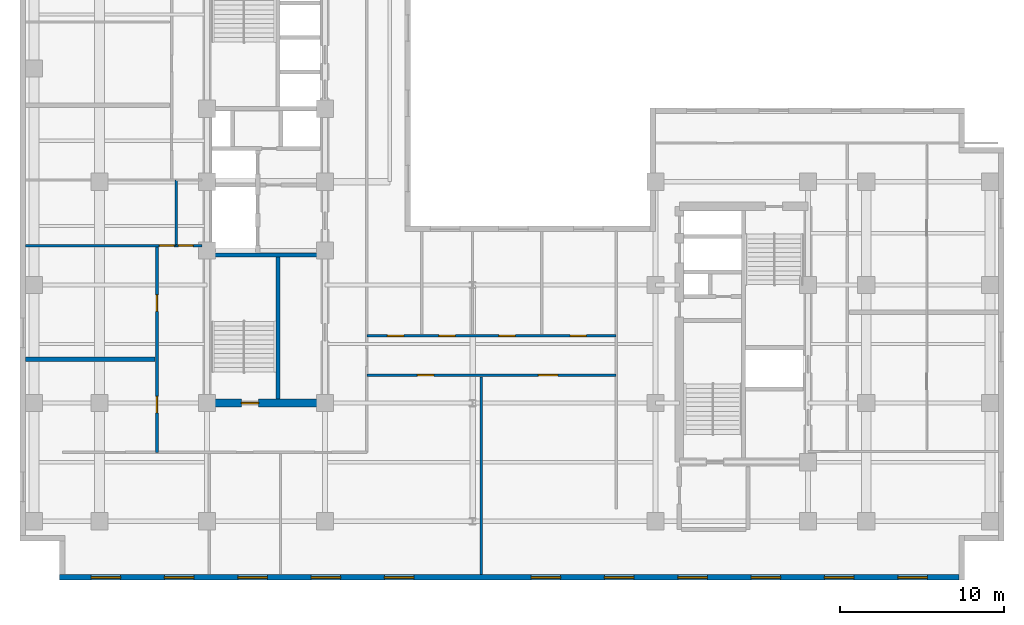
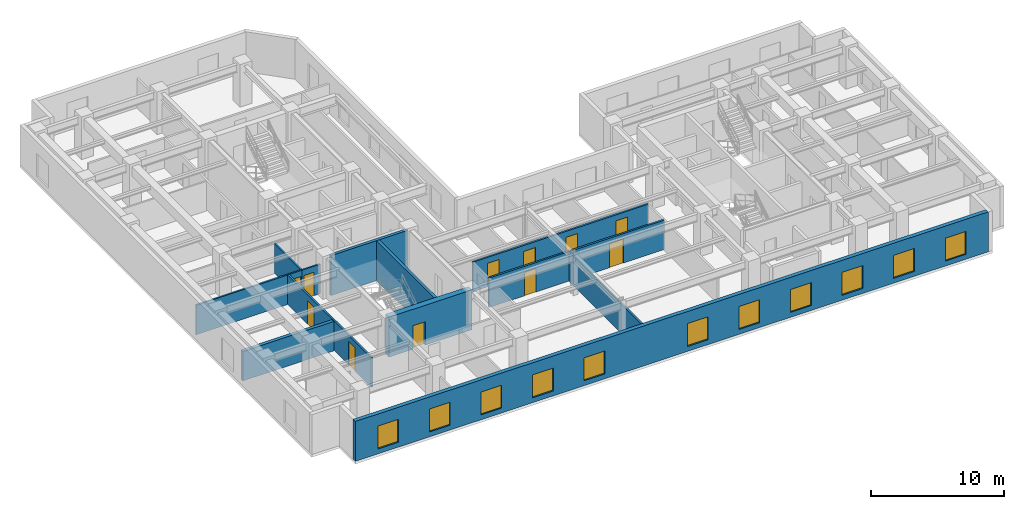
# One storey, part 3 of 9: 12 walls, 11 doors, 11 windows, 22 openings.
"""IFC4 building model written with IfcOpenShell, lengths in metres."""

from ifc_helpers import new_model, entity, si_unit, converted_unit, direction, frame, origin_with_axes, origin_2d_with_axis, place, context, subcontext, project, spatial, polyline, rectangle, outline, extrude, material, layer, layer_set, type_object, element, fill, save


model = new_model("IFC4")

# Units and contexts
model_context = context("Model", 3, precision=1e-05, world=origin_with_axes(), true_north=direction((0.0, 1.0)))
body_context = subcontext(model_context, "Body", "Model", "MODEL_VIEW")
ifc_project = project(units=[si_unit("LENGTHUNIT", "METRE"), si_unit("AREAUNIT", "SQUARE_METRE"), si_unit("VOLUMEUNIT", "CUBIC_METRE"), converted_unit("PLANEANGLEUNIT", "DEGREE", entity("IfcPlaneAngleMeasure", 0.017453292519943295), si_unit("PLANEANGLEUNIT", "RADIAN"), dimensions=[0, 0, 0, 0, 0, 0, 0]), si_unit("MASSUNIT", "GRAM", prefix="KILO"), si_unit("THERMODYNAMICTEMPERATUREUNIT", "KELVIN")], contexts=[model_context])

# Site, building, storey
site_placement = place(None, origin_with_axes())
site = spatial("IfcSite", under=ifc_project, at=site_placement, CompositionType="ELEMENT")
building_placement = place(site_placement, origin_with_axes())
building = spatial("IfcBuilding", under=site, at=building_placement, Name="Varnlund Millrace Tower", CompositionType="ELEMENT")
storey_placement = place(building_placement, frame((0.0, 0.0, 164.1), z_axis=(0.0, 0.0, 1.0), x_axis=(1.0, 0.0, 0.0)))
storey = spatial("IfcBuildingStorey", under=building, at=storey_placement, Name="L40", CompositionType="ELEMENT", Elevation=164.1)

# Wall, opening, door
ifc_material_1 = material(Name="Concrete C70/85", Category="concrete")
ifc_layer_1 = layer(ifc_material_1, 0.5, Name="Concrete C70/85")
ifc_layer_set_1 = layer_set([ifc_layer_1], Name="Concrete C70/85")
wall_type_1 = type_object("IfcWallType", Name="Type-CoreWall-Shear-500-C70", PredefinedType="SHEAR", material=ifc_layer_set_1)
wall_1_placement = place(storey_placement, frame((11.4, 10.8, 0.0), z_axis=(0.0, 0.0, 1.0), x_axis=(1.0, 0.0, 0.0)))
wall_1 = element("IfcWall", 1, at=wall_1_placement, inside=storey, type_object=wall_type_1, Name="Type-CoreWall-Shear-500-C70", PredefinedType="SHEAR", context=body_context, shape_type="SweptSolid", body=[
    extrude(outline(polyline([(0.0, -0.25), (7.2, -0.25), (7.2, 0.25), (0.0, 0.25), (0.0, -0.25)])), origin_with_axes(), (0.0, 0.0, 1.0), 3.66),
])
opening_1_placement = place(wall_1_placement, frame((2.625, 0.0, 0.0), z_axis=(0.0, 0.0, 1.0), x_axis=(1.0, 0.0, 0.0)))
opening_1 = element("IfcOpeningElement", 2, at=opening_1_placement, cuts=wall_1, Name="Opening L40:DR-STA1", PredefinedType="OPENING", context=body_context, shape_type="SweptSolid", body=[
    extrude(rectangle(XDim=1.05, YDim=0.52, at=origin_2d_with_axis()), origin_with_axes(), (0.0, 0.0, 1.0), 2.15),
])
ifc_material_2 = material(Name="Fire-rated hollow steel door", Category="steel")
door_type_1 = type_object("IfcDoorType", Name="Type-FireDoor-Stair-1050X2150", OperationType="NOTDEFINED", PredefinedType="DOOR", material=ifc_material_2)
door_1_placement = place(wall_1_placement, frame((2.625, 0.0, 0.0), z_axis=(0.0, 0.0, 1.0), x_axis=(1.0, 0.0, 0.0)))
door_1 = element("IfcDoor", 3, at=door_1_placement, inside=storey, type_object=door_type_1, Name="Type-FireDoor-Stair-1050X2150", OperationType="SINGLE_SWING_LEFT", OverallHeight=2.15, OverallWidth=1.05, PredefinedType="DOOR", context=body_context, shape_type="SweptSolid", body=[
    extrude(rectangle(XDim=1.05, YDim=0.09, at=origin_2d_with_axis()), origin_with_axes(), (0.0, 0.0, 1.0), 2.15),
])
fill(opening_1, door_1)

# Wall, openings, windows
ifc_material_3 = material(Name="Precast concrete C50/60", Category="concrete")
ifc_layer_2 = layer(ifc_material_3, 0.34, Name="Precast concrete C50/60")
ifc_layer_set_2 = layer_set([ifc_layer_2], Name="Precast concrete C50/60")
wall_type_2 = type_object("IfcWallType", Name="Type-ExtWall-Precast-Upper-340", PredefinedType="SOLIDWALL", material=ifc_layer_set_2)
wall_2_placement = place(storey_placement, frame((57.26, 0.17, 0.0), z_axis=(0.0, 0.0, 1.0), x_axis=(-1.0, 0.0, 0.0)))
wall_2 = element("IfcWall", 4, at=wall_2_placement, inside=storey, type_object=wall_type_2, Name="Type-ExtWall-Precast-Upper-340", PredefinedType="SOLIDWALL", context=body_context, shape_type="SweptSolid", body=[
    extrude(outline(polyline([(0.0, -0.17), (54.86, -0.17), (54.86, 0.17), (0.0, 0.17), (0.0, -0.17)])), origin_with_axes(), (0.0, 0.0, 1.0), 3.66),
])
opening_2_placement = place(wall_2_placement, frame((2.836, 0.0, 0.45), z_axis=(0.0, 0.0, 1.0), x_axis=(1.0, 0.0, 0.0)))
opening_2 = element("IfcOpeningElement", 5, at=opening_2_placement, cuts=wall_2, Name="Opening L40:WN-08", PredefinedType="OPENING", context=body_context, shape_type="SweptSolid", body=[
    extrude(rectangle(XDim=1.8, YDim=0.36, at=origin_2d_with_axis()), origin_with_axes(), (0.0, 0.0, 1.0), 2.1),
])
opening_3_placement = place(wall_2_placement, frame((7.307, 0.0, 0.45), z_axis=(0.0, 0.0, 1.0), x_axis=(1.0, 0.0, 0.0)))
opening_3 = element("IfcOpeningElement", 6, at=opening_3_placement, cuts=wall_2, Name="Opening L40:WN-09", PredefinedType="OPENING", context=body_context, shape_type="SweptSolid", body=[
    extrude(rectangle(XDim=1.8, YDim=0.36, at=origin_2d_with_axis()), origin_with_axes(), (0.0, 0.0, 1.0), 2.1),
])
opening_4_placement = place(wall_2_placement, frame((11.779, 0.0, 0.45), z_axis=(0.0, 0.0, 1.0), x_axis=(1.0, 0.0, 0.0)))
opening_4 = element("IfcOpeningElement", 7, at=opening_4_placement, cuts=wall_2, Name="Opening L40:WN-10", PredefinedType="OPENING", context=body_context, shape_type="SweptSolid", body=[
    extrude(rectangle(XDim=1.8, YDim=0.36, at=origin_2d_with_axis()), origin_with_axes(), (0.0, 0.0, 1.0), 2.1),
])
opening_5_placement = place(wall_2_placement, frame((16.251, 0.0, 0.45), z_axis=(0.0, 0.0, 1.0), x_axis=(1.0, 0.0, 0.0)))
opening_5 = element("IfcOpeningElement", 8, at=opening_5_placement, cuts=wall_2, Name="Opening L40:WN-11", PredefinedType="OPENING", context=body_context, shape_type="SweptSolid", body=[
    extrude(rectangle(XDim=1.8, YDim=0.36, at=origin_2d_with_axis()), origin_with_axes(), (0.0, 0.0, 1.0), 2.1),
])
opening_6_placement = place(wall_2_placement, frame((20.723, 0.0, 0.45), z_axis=(0.0, 0.0, 1.0), x_axis=(1.0, 0.0, 0.0)))
opening_6 = element("IfcOpeningElement", 9, at=opening_6_placement, cuts=wall_2, Name="Opening L40:WN-12", PredefinedType="OPENING", context=body_context, shape_type="SweptSolid", body=[
    extrude(rectangle(XDim=1.8, YDim=0.36, at=origin_2d_with_axis()), origin_with_axes(), (0.0, 0.0, 1.0), 2.1),
])
opening_7_placement = place(wall_2_placement, frame((25.194, 0.0, 0.45), z_axis=(0.0, 0.0, 1.0), x_axis=(1.0, 0.0, 0.0)))
opening_7 = element("IfcOpeningElement", 10, at=opening_7_placement, cuts=wall_2, Name="Opening L40:WN-13", PredefinedType="OPENING", context=body_context, shape_type="SweptSolid", body=[
    extrude(rectangle(XDim=1.8, YDim=0.36, at=origin_2d_with_axis()), origin_with_axes(), (0.0, 0.0, 1.0), 2.1),
])
opening_8_placement = place(wall_2_placement, frame((34.138, 0.0, 0.45), z_axis=(0.0, 0.0, 1.0), x_axis=(1.0, 0.0, 0.0)))
opening_8 = element("IfcOpeningElement", 11, at=opening_8_placement, cuts=wall_2, Name="Opening L40:WN-14", PredefinedType="OPENING", context=body_context, shape_type="SweptSolid", body=[
    extrude(rectangle(XDim=1.8, YDim=0.36, at=origin_2d_with_axis()), origin_with_axes(), (0.0, 0.0, 1.0), 2.1),
])
opening_9_placement = place(wall_2_placement, frame((38.609, 0.0, 0.45), z_axis=(0.0, 0.0, 1.0), x_axis=(1.0, 0.0, 0.0)))
opening_9 = element("IfcOpeningElement", 12, at=opening_9_placement, cuts=wall_2, Name="Opening L40:WN-15", PredefinedType="OPENING", context=body_context, shape_type="SweptSolid", body=[
    extrude(rectangle(XDim=1.8, YDim=0.36, at=origin_2d_with_axis()), origin_with_axes(), (0.0, 0.0, 1.0), 2.1),
])
opening_10_placement = place(wall_2_placement, frame((43.081, 0.0, 0.45), z_axis=(0.0, 0.0, 1.0), x_axis=(1.0, 0.0, 0.0)))
opening_10 = element("IfcOpeningElement", 13, at=opening_10_placement, cuts=wall_2, Name="Opening L40:WN-16", PredefinedType="OPENING", context=body_context, shape_type="SweptSolid", body=[
    extrude(rectangle(XDim=1.8, YDim=0.36, at=origin_2d_with_axis()), origin_with_axes(), (0.0, 0.0, 1.0), 2.1),
])
opening_11_placement = place(wall_2_placement, frame((47.553, 0.0, 0.45), z_axis=(0.0, 0.0, 1.0), x_axis=(1.0, 0.0, 0.0)))
opening_11 = element("IfcOpeningElement", 14, at=opening_11_placement, cuts=wall_2, Name="Opening L40:WN-17", PredefinedType="OPENING", context=body_context, shape_type="SweptSolid", body=[
    extrude(rectangle(XDim=1.8, YDim=0.36, at=origin_2d_with_axis()), origin_with_axes(), (0.0, 0.0, 1.0), 2.1),
])
opening_12_placement = place(wall_2_placement, frame((52.024, 0.0, 0.45), z_axis=(0.0, 0.0, 1.0), x_axis=(1.0, 0.0, 0.0)))
opening_12 = element("IfcOpeningElement", 15, at=opening_12_placement, cuts=wall_2, Name="Opening L40:WN-18", PredefinedType="OPENING", context=body_context, shape_type="SweptSolid", body=[
    extrude(rectangle(XDim=1.8, YDim=0.36, at=origin_2d_with_axis()), origin_with_axes(), (0.0, 0.0, 1.0), 2.1),
])
ifc_material_4 = material(Name="Argon low-e triple glazing in thermally broken bronze frame", Category="glass")
window_type = type_object("IfcWindowType", Name="Type-Window-Punched-1800X2100", PartitioningType="SINGLE_PANEL", PredefinedType="WINDOW", material=ifc_material_4)
window_1_placement = place(wall_2_placement, frame((2.836, 0.0, 0.45), z_axis=(0.0, 0.0, 1.0), x_axis=(1.0, 0.0, 0.0)))
window_1 = element("IfcWindow", 16, at=window_1_placement, inside=storey, type_object=window_type, Name="Type-Window-Punched-1800X2100", OverallHeight=2.1, OverallWidth=1.8, PredefinedType="WINDOW", context=body_context, shape_type="SweptSolid", body=[
    extrude(rectangle(XDim=1.8, YDim=0.09, at=origin_2d_with_axis()), origin_with_axes(), (0.0, 0.0, 1.0), 2.1),
])
fill(opening_2, window_1)
window_2_placement = place(wall_2_placement, frame((7.307, 0.0, 0.45), z_axis=(0.0, 0.0, 1.0), x_axis=(1.0, 0.0, 0.0)))
window_2 = element("IfcWindow", 17, at=window_2_placement, inside=storey, type_object=window_type, Name="Type-Window-Punched-1800X2100", OverallHeight=2.1, OverallWidth=1.8, PredefinedType="WINDOW", context=body_context, shape_type="SweptSolid", body=[
    extrude(rectangle(XDim=1.8, YDim=0.09, at=origin_2d_with_axis()), origin_with_axes(), (0.0, 0.0, 1.0), 2.1),
])
fill(opening_3, window_2)
window_3_placement = place(wall_2_placement, frame((11.779, 0.0, 0.45), z_axis=(0.0, 0.0, 1.0), x_axis=(1.0, 0.0, 0.0)))
window_3 = element("IfcWindow", 18, at=window_3_placement, inside=storey, type_object=window_type, Name="Type-Window-Punched-1800X2100", OverallHeight=2.1, OverallWidth=1.8, PredefinedType="WINDOW", context=body_context, shape_type="SweptSolid", body=[
    extrude(rectangle(XDim=1.8, YDim=0.09, at=origin_2d_with_axis()), origin_with_axes(), (0.0, 0.0, 1.0), 2.1),
])
fill(opening_4, window_3)
window_4_placement = place(wall_2_placement, frame((16.251, 0.0, 0.45), z_axis=(0.0, 0.0, 1.0), x_axis=(1.0, 0.0, 0.0)))
window_4 = element("IfcWindow", 19, at=window_4_placement, inside=storey, type_object=window_type, Name="Type-Window-Punched-1800X2100", OverallHeight=2.1, OverallWidth=1.8, PredefinedType="WINDOW", context=body_context, shape_type="SweptSolid", body=[
    extrude(rectangle(XDim=1.8, YDim=0.09, at=origin_2d_with_axis()), origin_with_axes(), (0.0, 0.0, 1.0), 2.1),
])
fill(opening_5, window_4)
window_5_placement = place(wall_2_placement, frame((20.723, 0.0, 0.45), z_axis=(0.0, 0.0, 1.0), x_axis=(1.0, 0.0, 0.0)))
window_5 = element("IfcWindow", 20, at=window_5_placement, inside=storey, type_object=window_type, Name="Type-Window-Punched-1800X2100", OverallHeight=2.1, OverallWidth=1.8, PredefinedType="WINDOW", context=body_context, shape_type="SweptSolid", body=[
    extrude(rectangle(XDim=1.8, YDim=0.09, at=origin_2d_with_axis()), origin_with_axes(), (0.0, 0.0, 1.0), 2.1),
])
fill(opening_6, window_5)
window_6_placement = place(wall_2_placement, frame((25.194, 0.0, 0.45), z_axis=(0.0, 0.0, 1.0), x_axis=(1.0, 0.0, 0.0)))
window_6 = element("IfcWindow", 21, at=window_6_placement, inside=storey, type_object=window_type, Name="Type-Window-Punched-1800X2100", OverallHeight=2.1, OverallWidth=1.8, PredefinedType="WINDOW", context=body_context, shape_type="SweptSolid", body=[
    extrude(rectangle(XDim=1.8, YDim=0.09, at=origin_2d_with_axis()), origin_with_axes(), (0.0, 0.0, 1.0), 2.1),
])
fill(opening_7, window_6)
window_7_placement = place(wall_2_placement, frame((34.138, 0.0, 0.45), z_axis=(0.0, 0.0, 1.0), x_axis=(1.0, 0.0, 0.0)))
window_7 = element("IfcWindow", 22, at=window_7_placement, inside=storey, type_object=window_type, Name="Type-Window-Punched-1800X2100", OverallHeight=2.1, OverallWidth=1.8, PredefinedType="WINDOW", context=body_context, shape_type="SweptSolid", body=[
    extrude(rectangle(XDim=1.8, YDim=0.09, at=origin_2d_with_axis()), origin_with_axes(), (0.0, 0.0, 1.0), 2.1),
])
fill(opening_8, window_7)
window_8_placement = place(wall_2_placement, frame((38.609, 0.0, 0.45), z_axis=(0.0, 0.0, 1.0), x_axis=(1.0, 0.0, 0.0)))
window_8 = element("IfcWindow", 23, at=window_8_placement, inside=storey, type_object=window_type, Name="Type-Window-Punched-1800X2100", OverallHeight=2.1, OverallWidth=1.8, PredefinedType="WINDOW", context=body_context, shape_type="SweptSolid", body=[
    extrude(rectangle(XDim=1.8, YDim=0.09, at=origin_2d_with_axis()), origin_with_axes(), (0.0, 0.0, 1.0), 2.1),
])
fill(opening_9, window_8)
window_9_placement = place(wall_2_placement, frame((43.081, 0.0, 0.45), z_axis=(0.0, 0.0, 1.0), x_axis=(1.0, 0.0, 0.0)))
window_9 = element("IfcWindow", 24, at=window_9_placement, inside=storey, type_object=window_type, Name="Type-Window-Punched-1800X2100", OverallHeight=2.1, OverallWidth=1.8, PredefinedType="WINDOW", context=body_context, shape_type="SweptSolid", body=[
    extrude(rectangle(XDim=1.8, YDim=0.09, at=origin_2d_with_axis()), origin_with_axes(), (0.0, 0.0, 1.0), 2.1),
])
fill(opening_10, window_9)
window_10_placement = place(wall_2_placement, frame((47.553, 0.0, 0.45), z_axis=(0.0, 0.0, 1.0), x_axis=(1.0, 0.0, 0.0)))
window_10 = element("IfcWindow", 25, at=window_10_placement, inside=storey, type_object=window_type, Name="Type-Window-Punched-1800X2100", OverallHeight=2.1, OverallWidth=1.8, PredefinedType="WINDOW", context=body_context, shape_type="SweptSolid", body=[
    extrude(rectangle(XDim=1.8, YDim=0.09, at=origin_2d_with_axis()), origin_with_axes(), (0.0, 0.0, 1.0), 2.1),
])
fill(opening_11, window_10)
window_11_placement = place(wall_2_placement, frame((52.024, 0.0, 0.45), z_axis=(0.0, 0.0, 1.0), x_axis=(1.0, 0.0, 0.0)))
window_11 = element("IfcWindow", 26, at=window_11_placement, inside=storey, type_object=window_type, Name="Type-Window-Punched-1800X2100", OverallHeight=2.1, OverallWidth=1.8, PredefinedType="WINDOW", context=body_context, shape_type="SweptSolid", body=[
    extrude(rectangle(XDim=1.8, YDim=0.09, at=origin_2d_with_axis()), origin_with_axes(), (0.0, 0.0, 1.0), 2.1),
])
fill(opening_12, window_11)

# Wall
ifc_material_5 = material(Name="Double-stud STC-60 conference acoustic partition", Category="gypsum")
ifc_layer_3 = layer(ifc_material_5, 0.28, Name="Double-stud STC-60 conference acoustic partition")
ifc_layer_set_3 = layer_set([ifc_layer_3], Name="Double-stud STC-60 conference acoustic partition")
wall_type_3 = type_object("IfcWallType", Name="Type-Partition-Acoustic-280", PredefinedType="PARTITIONING", material=ifc_layer_set_3)
wall_3_placement = place(storey_placement, frame((0.335, 13.478, 0.0), z_axis=(0.0, 0.0, 1.0), x_axis=(1.0, 0.0, 0.0)))
element("IfcWall", 27, at=wall_3_placement, inside=storey, type_object=wall_type_3, Name="Type-Partition-Acoustic-280", PredefinedType="PARTITIONING", context=body_context, shape_type="SweptSolid", body=[
    extrude(outline(polyline([(0.0, -0.14), (7.895, -0.14), (7.895, 0.14), (0.0, 0.14), (0.0, -0.14)])), origin_with_axes(), (0.0, 0.0, 1.0), 2.7),
])

# Wall, openings, doors
ifc_material_6 = material(Name="Fire-rated gypsum board on cold-formed steel framing", Category="steel")
ifc_layer_4 = layer(ifc_material_6, 0.16, Name="Fire-rated gypsum board on cold-formed steel framing")
ifc_layer_set_4 = layer_set([ifc_layer_4], Name="Fire-rated gypsum board on cold-formed steel framing")
wall_type_4 = type_object("IfcWallType", Name="Type-Partition-Corridor-160", PredefinedType="PARTITIONING", material=ifc_layer_set_4)
wall_4_placement = place(storey_placement, frame((8.35, 7.8, 0.0), z_axis=(0.0, 0.0, 1.0), x_axis=(0.0, 1.0, 0.0)))
wall_4 = element("IfcWall", 28, at=wall_4_placement, inside=storey, type_object=wall_type_4, Name="Type-Partition-Corridor-160", PredefinedType="PARTITIONING", context=body_context, shape_type="SweptSolid", body=[
    extrude(outline(polyline([(0.0, -0.08), (12.6, -0.08), (12.6, 0.08), (0.0, 0.08), (0.0, -0.08)])), origin_with_axes(), (0.0, 0.0, 1.0), 2.7),
])
opening_13_placement = place(wall_4_placement, frame((2.904, 0.0, 0.0), z_axis=(0.0, 0.0, 1.0), x_axis=(1.0, 0.0, 0.0)))
opening_13 = element("IfcOpeningElement", 29, at=opening_13_placement, cuts=wall_4, Name="Opening L40:DR-WS-01", PredefinedType="OPENING", context=body_context, shape_type="SweptSolid", body=[
    extrude(rectangle(XDim=1.0, YDim=0.18, at=origin_2d_with_axis()), origin_with_axes(), (0.0, 0.0, 1.0), 2.15),
])
opening_14_placement = place(wall_4_placement, frame((9.099, 0.0, 0.0), z_axis=(0.0, 0.0, 1.0), x_axis=(1.0, 0.0, 0.0)))
opening_14 = element("IfcOpeningElement", 30, at=opening_14_placement, cuts=wall_4, Name="Opening L40:DR-WS-02", PredefinedType="OPENING", context=body_context, shape_type="SweptSolid", body=[
    extrude(rectangle(XDim=1.0, YDim=0.18, at=origin_2d_with_axis()), origin_with_axes(), (0.0, 0.0, 1.0), 2.15),
])
ifc_material_7 = material(Name="Solid-core white oak and bronze frame door")
door_type_2 = type_object("IfcDoorType", Name="Type-IntDoor-Office-1000X2150", OperationType="NOTDEFINED", PredefinedType="DOOR", material=ifc_material_7)
door_2_placement = place(wall_4_placement, frame((2.904, 0.0, 0.0), z_axis=(0.0, 0.0, 1.0), x_axis=(1.0, 0.0, 0.0)))
door_2 = element("IfcDoor", 31, at=door_2_placement, inside=storey, type_object=door_type_2, Name="Type-IntDoor-Office-1000X2150", OperationType="SINGLE_SWING_LEFT", OverallHeight=2.15, OverallWidth=1.0, PredefinedType="DOOR", context=body_context, shape_type="SweptSolid", body=[
    extrude(rectangle(XDim=1.0, YDim=0.09, at=origin_2d_with_axis()), origin_with_axes(), (0.0, 0.0, 1.0), 2.15),
])
fill(opening_13, door_2)
door_3_placement = place(wall_4_placement, frame((9.099, 0.0, 0.0), z_axis=(0.0, 0.0, 1.0), x_axis=(1.0, 0.0, 0.0)))
door_3 = element("IfcDoor", 32, at=door_3_placement, inside=storey, type_object=door_type_2, Name="Type-IntDoor-Office-1000X2150", OperationType="SINGLE_SWING_RIGHT", OverallHeight=2.15, OverallWidth=1.0, PredefinedType="DOOR", context=body_context, shape_type="SweptSolid", body=[
    extrude(rectangle(XDim=1.0, YDim=0.09, at=origin_2d_with_axis()), origin_with_axes(), (0.0, 0.0, 1.0), 2.15),
])
fill(opening_14, door_3)

wall_5_placement = place(storey_placement, frame((21.15, 12.5, 0.0), z_axis=(0.0, 0.0, 1.0), x_axis=(1.0, 0.0, 0.0)))
wall_5 = element("IfcWall", 33, at=wall_5_placement, inside=storey, type_object=wall_type_4, Name="Type-Partition-Corridor-160", PredefinedType="PARTITIONING", context=body_context, shape_type="SweptSolid", body=[
    extrude(outline(polyline([(0.0, -0.08), (15.2, -0.08), (15.2, 0.08), (0.0, 0.08), (0.0, -0.08)])), origin_with_axes(), (0.0, 0.0, 1.0), 2.7),
])
opening_15_placement = place(wall_5_placement, frame((3.5825, 0.0, 0.0), z_axis=(0.0, 0.0, 1.0), x_axis=(1.0, 0.0, 0.0)))
opening_15 = element("IfcOpeningElement", 34, at=opening_15_placement, cuts=wall_5, Name="Opening L40:DR-KNS-01", PredefinedType="OPENING", context=body_context, shape_type="SweptSolid", body=[
    extrude(rectangle(XDim=1.0, YDim=0.18, at=origin_2d_with_axis()), origin_with_axes(), (0.0, 0.0, 1.0), 2.15),
])
opening_16_placement = place(wall_5_placement, frame((11.0525, 0.0, 0.0), z_axis=(0.0, 0.0, 1.0), x_axis=(1.0, 0.0, 0.0)))
opening_16 = element("IfcOpeningElement", 35, at=opening_16_placement, cuts=wall_5, Name="Opening L40:DR-KNS-02", PredefinedType="OPENING", context=body_context, shape_type="SweptSolid", body=[
    extrude(rectangle(XDim=1.2, YDim=0.18, at=origin_2d_with_axis()), origin_with_axes(), (0.0, 0.0, 1.0), 2.2),
])
ifc_material_8 = material(Name="Wide executive white oak acoustic door")
door_type_3 = type_object("IfcDoorType", Name="Type-IntDoor-Exec-1200X2200", OperationType="NOTDEFINED", PredefinedType="DOOR", material=ifc_material_8)
door_4_placement = place(wall_5_placement, frame((11.0525, 0.0, 0.0), z_axis=(0.0, 0.0, 1.0), x_axis=(1.0, 0.0, 0.0)))
door_4 = element("IfcDoor", 36, at=door_4_placement, inside=storey, type_object=door_type_3, Name="Type-IntDoor-Exec-1200X2200", OperationType="SINGLE_SWING_RIGHT", OverallHeight=2.2, OverallWidth=1.2, PredefinedType="DOOR", context=body_context, shape_type="SweptSolid", body=[
    extrude(rectangle(XDim=1.2, YDim=0.09, at=origin_2d_with_axis()), origin_with_axes(), (0.0, 0.0, 1.0), 2.2),
])
fill(opening_16, door_4)
door_5_placement = place(wall_5_placement, frame((3.5825, 0.0, 0.0), z_axis=(0.0, 0.0, 1.0), x_axis=(1.0, 0.0, 0.0)))
door_5 = element("IfcDoor", 37, at=door_5_placement, inside=storey, type_object=door_type_2, Name="Type-IntDoor-Office-1000X2150", OperationType="SINGLE_SWING_LEFT", OverallHeight=2.15, OverallWidth=1.0, PredefinedType="DOOR", context=body_context, shape_type="SweptSolid", body=[
    extrude(rectangle(XDim=1.0, YDim=0.09, at=origin_2d_with_axis()), origin_with_axes(), (0.0, 0.0, 1.0), 2.15),
])
fill(opening_15, door_5)

wall_6_placement = place(storey_placement, frame((21.15, 14.9, 0.0), z_axis=(0.0, 0.0, 1.0), x_axis=(1.0, 0.0, 0.0)))
wall_6 = element("IfcWall", 38, at=wall_6_placement, inside=storey, type_object=wall_type_4, Name="Type-Partition-Corridor-160", PredefinedType="PARTITIONING", context=body_context, shape_type="SweptSolid", body=[
    extrude(outline(polyline([(0.0, -0.08), (15.2, -0.08), (15.2, 0.08), (0.0, 0.08), (0.0, -0.08)])), origin_with_axes(), (0.0, 0.0, 1.0), 2.7),
])
opening_17_placement = place(wall_6_placement, frame((1.7575, 0.0, 0.0), z_axis=(0.0, 0.0, 1.0), x_axis=(1.0, 0.0, 0.0)))
opening_17 = element("IfcOpeningElement", 39, at=opening_17_placement, cuts=wall_6, Name="Opening L40:DR-KN-01", PredefinedType="OPENING", context=body_context, shape_type="SweptSolid", body=[
    extrude(rectangle(XDim=1.0, YDim=0.18, at=origin_2d_with_axis()), origin_with_axes(), (0.0, 0.0, 1.0), 2.15),
])
opening_18_placement = place(wall_6_placement, frame((4.8925, 0.0, 0.0), z_axis=(0.0, 0.0, 1.0), x_axis=(1.0, 0.0, 0.0)))
opening_18 = element("IfcOpeningElement", 40, at=opening_18_placement, cuts=wall_6, Name="Opening L40:DR-KN-02", PredefinedType="OPENING", context=body_context, shape_type="SweptSolid", body=[
    extrude(rectangle(XDim=1.0, YDim=0.18, at=origin_2d_with_axis()), origin_with_axes(), (0.0, 0.0, 1.0), 2.15),
])
opening_19_placement = place(wall_6_placement, frame((8.5545, 0.0, 0.0), z_axis=(0.0, 0.0, 1.0), x_axis=(1.0, 0.0, 0.0)))
opening_19 = element("IfcOpeningElement", 41, at=opening_19_placement, cuts=wall_6, Name="Opening L40:DR-KN-03", PredefinedType="OPENING", context=body_context, shape_type="SweptSolid", body=[
    extrude(rectangle(XDim=1.0, YDim=0.18, at=origin_2d_with_axis()), origin_with_axes(), (0.0, 0.0, 1.0), 2.15),
])
opening_20_placement = place(wall_6_placement, frame((12.8895, 0.0, 0.0), z_axis=(0.0, 0.0, 1.0), x_axis=(1.0, 0.0, 0.0)))
opening_20 = element("IfcOpeningElement", 42, at=opening_20_placement, cuts=wall_6, Name="Opening L40:DR-KN-04", PredefinedType="OPENING", context=body_context, shape_type="SweptSolid", body=[
    extrude(rectangle(XDim=1.0, YDim=0.18, at=origin_2d_with_axis()), origin_with_axes(), (0.0, 0.0, 1.0), 2.15),
])
door_6_placement = place(wall_6_placement, frame((1.7575, 0.0, 0.0), z_axis=(0.0, 0.0, 1.0), x_axis=(1.0, 0.0, 0.0)))
door_6 = element("IfcDoor", 43, at=door_6_placement, inside=storey, type_object=door_type_2, Name="Type-IntDoor-Office-1000X2150", OperationType="SINGLE_SWING_LEFT", OverallHeight=2.15, OverallWidth=1.0, PredefinedType="DOOR", context=body_context, shape_type="SweptSolid", body=[
    extrude(rectangle(XDim=1.0, YDim=0.09, at=origin_2d_with_axis()), origin_with_axes(), (0.0, 0.0, 1.0), 2.15),
])
fill(opening_17, door_6)
door_7_placement = place(wall_6_placement, frame((4.8925, 0.0, 0.0), z_axis=(0.0, 0.0, 1.0), x_axis=(1.0, 0.0, 0.0)))
door_7 = element("IfcDoor", 44, at=door_7_placement, inside=storey, type_object=door_type_2, Name="Type-IntDoor-Office-1000X2150", OperationType="SINGLE_SWING_RIGHT", OverallHeight=2.15, OverallWidth=1.0, PredefinedType="DOOR", context=body_context, shape_type="SweptSolid", body=[
    extrude(rectangle(XDim=1.0, YDim=0.09, at=origin_2d_with_axis()), origin_with_axes(), (0.0, 0.0, 1.0), 2.15),
])
fill(opening_18, door_7)
door_8_placement = place(wall_6_placement, frame((8.5545, 0.0, 0.0), z_axis=(0.0, 0.0, 1.0), x_axis=(1.0, 0.0, 0.0)))
door_8 = element("IfcDoor", 45, at=door_8_placement, inside=storey, type_object=door_type_2, Name="Type-IntDoor-Office-1000X2150", OperationType="SINGLE_SWING_LEFT", OverallHeight=2.15, OverallWidth=1.0, PredefinedType="DOOR", context=body_context, shape_type="SweptSolid", body=[
    extrude(rectangle(XDim=1.0, YDim=0.09, at=origin_2d_with_axis()), origin_with_axes(), (0.0, 0.0, 1.0), 2.15),
])
fill(opening_19, door_8)
door_9_placement = place(wall_6_placement, frame((12.8895, 0.0, 0.0), z_axis=(0.0, 0.0, 1.0), x_axis=(1.0, 0.0, 0.0)))
door_9 = element("IfcDoor", 46, at=door_9_placement, inside=storey, type_object=door_type_2, Name="Type-IntDoor-Office-1000X2150", OperationType="SINGLE_SWING_RIGHT", OverallHeight=2.15, OverallWidth=1.0, PredefinedType="DOOR", context=body_context, shape_type="SweptSolid", body=[
    extrude(rectangle(XDim=1.0, YDim=0.09, at=origin_2d_with_axis()), origin_with_axes(), (0.0, 0.0, 1.0), 2.15),
])
fill(opening_20, door_9)

# Walls
ifc_material_9 = material(Name="Acoustic STC-50 gypsum board partition", Category="gypsum")
ifc_layer_5 = layer(ifc_material_9, 0.15, Name="Acoustic STC-50 gypsum board partition")
ifc_layer_set_5 = layer_set([ifc_layer_5], Name="Acoustic STC-50 gypsum board partition")
wall_type_5 = type_object("IfcWallType", Name="Type-Partition-Demising-150", PredefinedType="PARTITIONING", material=ifc_layer_set_5)
wall_7_placement = place(storey_placement, frame((28.135, 0.335, 0.0), z_axis=(0.0, 0.0, 1.0), x_axis=(0.0, 1.0, 0.0)))
element("IfcWall", 47, at=wall_7_placement, inside=storey, type_object=wall_type_5, Name="Type-Partition-Demising-150", PredefinedType="PARTITIONING", context=body_context, shape_type="SweptSolid", body=[
    extrude(outline(polyline([(0.0, -0.075), (12.045, -0.075), (12.045, 0.075), (0.0, 0.075), (0.0, -0.075)])), origin_with_axes(), (0.0, 0.0, 1.0), 2.7),
])
ifc_material_10 = material(Name="Moisture-resistant gypsum restroom partition", Category="gypsum")
ifc_layer_6 = layer(ifc_material_10, 0.14, Name="Moisture-resistant gypsum restroom partition")
ifc_layer_set_6 = layer_set([ifc_layer_6], Name="Moisture-resistant gypsum restroom partition")
wall_type_6 = type_object("IfcWallType", Name="Type-Partition-Wet-140", PredefinedType="PARTITIONING", material=ifc_layer_set_6)
wall_8_placement = place(storey_placement, frame((9.52, 20.4, 0.0), z_axis=(0.0, 0.0, 1.0), x_axis=(0.0, 1.0, 0.0)))
element("IfcWall", 48, at=wall_8_placement, inside=storey, type_object=wall_type_6, Name="Type-Partition-Wet-140", PredefinedType="PARTITIONING", context=body_context, shape_type="SweptSolid", body=[
    extrude(outline(polyline([(0.0, -0.07), (4.0, -0.07), (4.0, 0.07), (0.0, 0.07), (0.0, -0.07)])), origin_with_axes(), (0.0, 0.0, 1.0), 2.7),
])

# Wall, opening, door
wall_9_placement = place(storey_placement, frame((9.52, 20.4, 0.0), z_axis=(0.0, 0.0, 1.0), x_axis=(1.0, 0.0, 0.0)))
wall_9 = element("IfcWall", 49, at=wall_9_placement, inside=storey, type_object=wall_type_6, Name="Type-Partition-Wet-140", PredefinedType="PARTITIONING", context=body_context, shape_type="SweptSolid", body=[
    extrude(outline(polyline([(0.0, -0.07), (1.58, -0.07), (1.58, 0.07), (0.0, 0.07), (0.0, -0.07)])), origin_with_axes(), (0.0, 0.0, 1.0), 2.7),
])
opening_21_placement = place(wall_9_placement, frame((0.59, 0.0, 0.0), z_axis=(0.0, 0.0, 1.0), x_axis=(1.0, 0.0, 0.0)))
opening_21 = element("IfcOpeningElement", 50, at=opening_21_placement, cuts=wall_9, Name="Opening L40:DR-CA-WCW", PredefinedType="OPENING", context=body_context, shape_type="SweptSolid", body=[
    extrude(rectangle(XDim=0.9, YDim=0.16, at=origin_2d_with_axis()), origin_with_axes(), (0.0, 0.0, 1.0), 2.15),
])
ifc_material_11 = material(Name="Painted steel riser and closet door", Category="steel")
door_type_4 = type_object("IfcDoorType", Name="Type-IntDoor-Closet-900X2150", OperationType="NOTDEFINED", PredefinedType="DOOR", material=ifc_material_11)
door_10_placement = place(wall_9_placement, frame((0.59, 0.0, 0.0), z_axis=(0.0, 0.0, 1.0), x_axis=(1.0, 0.0, 0.0)))
door_10 = element("IfcDoor", 51, at=door_10_placement, inside=storey, type_object=door_type_4, Name="Type-IntDoor-Closet-900X2150", OperationType="SINGLE_SWING_LEFT", OverallHeight=2.15, OverallWidth=0.9, PredefinedType="DOOR", context=body_context, shape_type="SweptSolid", body=[
    extrude(rectangle(XDim=0.9, YDim=0.084, at=origin_2d_with_axis()), origin_with_axes(), (0.0, 0.0, 1.0), 2.15),
])
fill(opening_21, door_10)

wall_10_placement = place(storey_placement, frame((0.335, 20.4, 0.0), z_axis=(0.0, 0.0, 1.0), x_axis=(1.0, 0.0, 0.0)))
wall_10 = element("IfcWall", 52, at=wall_10_placement, inside=storey, type_object=wall_type_6, Name="Type-Partition-Wet-140", PredefinedType="PARTITIONING", context=body_context, shape_type="SweptSolid", body=[
    extrude(outline(polyline([(0.0, -0.07), (9.185, -0.07), (9.185, 0.07), (0.0, 0.07), (0.0, -0.07)])), origin_with_axes(), (0.0, 0.0, 1.0), 2.7),
])
opening_22_placement = place(wall_10_placement, frame((8.615, 0.0, 0.0), z_axis=(0.0, 0.0, 1.0), x_axis=(1.0, 0.0, 0.0)))
opening_22 = element("IfcOpeningElement", 53, at=opening_22_placement, cuts=wall_10, Name="Opening L40:DR-W-MIDR", PredefinedType="OPENING", context=body_context, shape_type="SweptSolid", body=[
    extrude(rectangle(XDim=0.9, YDim=0.16, at=origin_2d_with_axis()), origin_with_axes(), (0.0, 0.0, 1.0), 2.15),
])
door_11_placement = place(wall_10_placement, frame((8.615, 0.0, 0.0), z_axis=(0.0, 0.0, 1.0), x_axis=(1.0, 0.0, 0.0)))
door_11 = element("IfcDoor", 54, at=door_11_placement, inside=storey, type_object=door_type_4, Name="Type-IntDoor-Closet-900X2150", OperationType="SINGLE_SWING_LEFT", OverallHeight=2.15, OverallWidth=0.9, PredefinedType="DOOR", context=body_context, shape_type="SweptSolid", body=[
    extrude(rectangle(XDim=0.9, YDim=0.084, at=origin_2d_with_axis()), origin_with_axes(), (0.0, 0.0, 1.0), 2.15),
])
fill(opening_22, door_11)

# Walls
ifc_material_12 = material(Name="Concrete C60/75", Category="concrete")
ifc_layer_7 = layer(ifc_material_12, 0.25, Name="Concrete C60/75")
ifc_layer_set_7 = layer_set([ifc_layer_7], Name="Concrete C60/75")
wall_type_7 = type_object("IfcWallType", Name="Type-StairWall-Shear-250", PredefinedType="SHEAR", material=ifc_layer_set_7)
wall_11_placement = place(storey_placement, frame((15.725, 11.05, 0.0), z_axis=(0.0, 0.0, 1.0), x_axis=(0.0, 1.0, 0.0)))
element("IfcWall", 55, at=wall_11_placement, inside=storey, type_object=wall_type_7, Name="Type-StairWall-Shear-250", PredefinedType="SHEAR", context=body_context, shape_type="SweptSolid", body=[
    extrude(outline(polyline([(0.0, -0.125), (8.65, -0.125), (8.65, 0.125), (0.0, 0.125), (0.0, -0.125)])), origin_with_axes(), (0.0, 0.0, 1.0), 3.66),
])
wall_12_placement = place(storey_placement, frame((11.65, 19.825, 0.0), z_axis=(0.0, 0.0, 1.0), x_axis=(1.0, 0.0, 0.0)))
element("IfcWall", 56, at=wall_12_placement, inside=storey, type_object=wall_type_7, Name="Type-StairWall-Shear-250", PredefinedType="SHEAR", context=body_context, shape_type="SweptSolid", body=[
    extrude(outline(polyline([(0.0, -0.125), (6.7, -0.125), (6.7, 0.125), (0.0, 0.125), (0.0, -0.125)])), origin_with_axes(), (0.0, 0.0, 1.0), 3.66),
])

save(model, "model.ifc")
